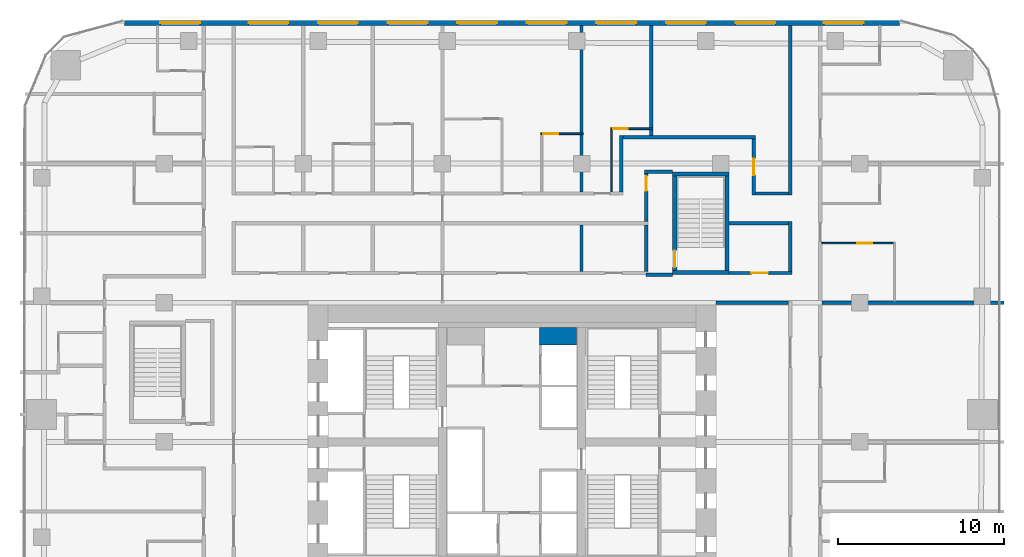
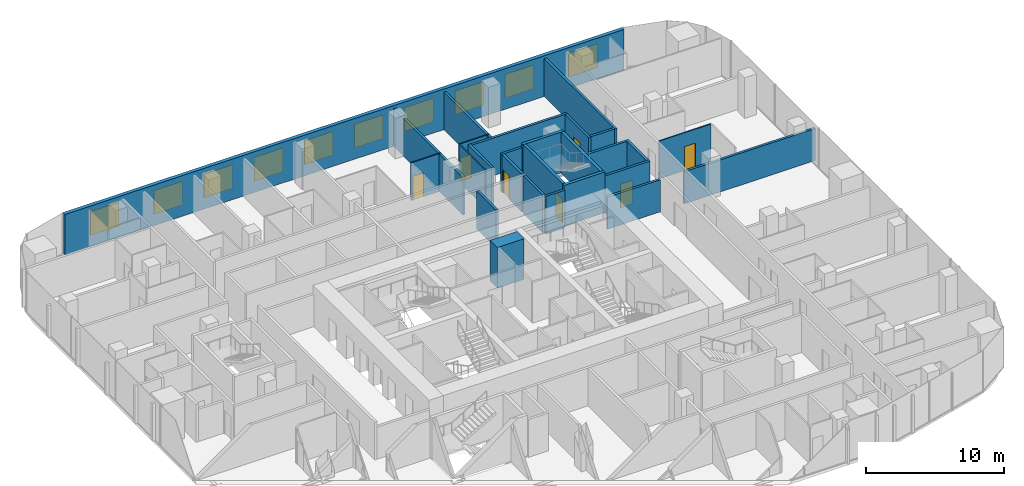
# One storey, part 23 of 26: 27 walls, 10 windows, 7 doors, 17 openings.
"""IFC4 building model written with IfcOpenShell, lengths in metres."""

from ifc_helpers import new_model, si_unit, direction, frame, frame_2d, origin, place, context, subcontext, project, spatial, rectangle, extrude, material, layer, layer_set, type_object, element, fill, save


model = new_model("IFC4")

# Units and contexts
model_context = context("Model", 3, precision=1e-05, world=origin(), true_north=direction((0.0, 1.0)))
body_context = subcontext(model_context, "Body", "Model", "MODEL_VIEW")
ifc_project = project(units=[si_unit("LENGTHUNIT", "METRE"), si_unit("AREAUNIT", "SQUARE_METRE"), si_unit("VOLUMEUNIT", "CUBIC_METRE"), si_unit("PLANEANGLEUNIT", "RADIAN"), si_unit("MASSUNIT", "GRAM", prefix="KILO")], contexts=[model_context])

# Site, building, storey
site_placement = place(None, origin())
site = spatial("IfcSite", under=ifc_project, at=site_placement, CompositionType="ELEMENT")
building_placement = place(site_placement, origin())
building = spatial("IfcBuilding", under=site, at=building_placement, Name="Marenta Gate Hotel Tower", CompositionType="ELEMENT")
storey_placement = place(building_placement, frame((0.0, 0.0, 58.10009765625)))
storey = spatial("IfcBuildingStorey", under=building, at=storey_placement, Name="L12", CompositionType="ELEMENT", Elevation=58.10009765625)

# Wall, openings, windows
ifc_material_1 = material(Name="Concrete C40 board-marked", Category="concrete")
ifc_layer_1 = layer(ifc_material_1, 0.300048828125)
ifc_layer_set_1 = layer_set([ifc_layer_1], Name="Concrete C40 board-marked")
wall_type_1 = type_object("IfcWallType", Name="Board-marked concrete wall 300 mm", PredefinedType="NOTDEFINED", material=ifc_layer_set_1)
wall_1_placement = place(storey_placement, frame((23.406005859375, 33.68994140625, 0.0), z_axis=(0.0, 0.0, 1.0), x_axis=(-1.0, 0.0, 0.0)))
wall_1 = element("IfcWall", 1, at=wall_1_placement, inside=storey, type_object=wall_type_1, Name="L12-CLD-N00", PredefinedType="NOTDEFINED", context=body_context, shape_type="SweptSolid", body=[
    extrude(rectangle(XDim=46.81201171875, YDim=0.300048828125, at=frame_2d((23.406005859375, 0.0))), origin(), (0.0, 0.0, 1.0), 3.599853515625),
])
opening_1_placement = place(wall_1_placement, frame((2.185791015625, 0.0, 0.89990234375)))
opening_1 = element("IfcOpeningElement", 2, at=opening_1_placement, cuts=wall_1, Name="Opening W1", PredefinedType="OPENING", context=body_context, shape_type="SweptSolid", body=[
    extrude(rectangle(XDim=2.39990234375, YDim=2.10009765625, at=frame_2d((1.199951171875, 1.050048828125))), frame((0.0, 0.14990234375, 0.0), z_axis=(0.0, -1.0, 0.0), x_axis=(1.0, 0.0, 0.0)), (0.0, 0.0, 1.0), 0.300048828125),
])
opening_2_placement = place(wall_1_placement, frame((7.505859375, 0.0, 0.89990234375)))
opening_2 = element("IfcOpeningElement", 3, at=opening_2_placement, cuts=wall_1, Name="Opening W1", PredefinedType="OPENING", context=body_context, shape_type="SweptSolid", body=[
    extrude(rectangle(XDim=2.39990234375, YDim=2.10009765625, at=frame_2d((1.199951171875, 1.050048828125))), frame((0.0, 0.14990234375, 0.0), z_axis=(0.0, -1.0, 0.0), x_axis=(1.0, 0.0, 0.0)), (0.0, 0.0, 1.0), 0.300048828125),
])
opening_3_placement = place(wall_1_placement, frame((11.705810546875, 0.0, 0.89990234375)))
opening_3 = element("IfcOpeningElement", 4, at=opening_3_placement, cuts=wall_1, Name="Opening W1", PredefinedType="OPENING", context=body_context, shape_type="SweptSolid", body=[
    extrude(rectangle(XDim=2.39990234375, YDim=2.10009765625, at=frame_2d((1.199951171875, 1.050048828125))), frame((0.0, 0.14990234375, 0.0), z_axis=(0.0, -1.0, 0.0), x_axis=(1.0, 0.0, 0.0)), (0.0, 0.0, 1.0), 0.300048828125),
])
opening_4_placement = place(wall_1_placement, frame((15.906005859375, 0.0, 0.89990234375)))
opening_4 = element("IfcOpeningElement", 5, at=opening_4_placement, cuts=wall_1, Name="Opening W1", PredefinedType="OPENING", context=body_context, shape_type="SweptSolid", body=[
    extrude(rectangle(XDim=2.39990234375, YDim=2.10009765625, at=frame_2d((1.199951171875, 1.050048828125))), frame((0.0, 0.14990234375, 0.0), z_axis=(0.0, -1.0, 0.0), x_axis=(1.0, 0.0, 0.0)), (0.0, 0.0, 1.0), 0.300048828125),
])
opening_5_placement = place(wall_1_placement, frame((20.10595703125, 0.0, 0.89990234375)))
opening_5 = element("IfcOpeningElement", 6, at=opening_5_placement, cuts=wall_1, Name="Opening W1", PredefinedType="OPENING", context=body_context, shape_type="SweptSolid", body=[
    extrude(rectangle(XDim=2.39990234375, YDim=2.10009765625, at=frame_2d((1.199951171875, 1.050048828125))), frame((0.0, 0.14990234375, 0.0), z_axis=(0.0, -1.0, 0.0), x_axis=(1.0, 0.0, 0.0)), (0.0, 0.0, 1.0), 0.300048828125),
])
opening_6_placement = place(wall_1_placement, frame((24.305908203125, 0.0, 0.89990234375)))
opening_6 = element("IfcOpeningElement", 7, at=opening_6_placement, cuts=wall_1, Name="Opening W1", PredefinedType="OPENING", context=body_context, shape_type="SweptSolid", body=[
    extrude(rectangle(XDim=2.39990234375, YDim=2.10009765625, at=frame_2d((1.199951171875, 1.050048828125))), frame((0.0, 0.14990234375, 0.0), z_axis=(0.0, -1.0, 0.0), x_axis=(1.0, 0.0, 0.0)), (0.0, 0.0, 1.0), 0.300048828125),
])
opening_7_placement = place(wall_1_placement, frame((28.505859375, 0.0, 0.89990234375)))
opening_7 = element("IfcOpeningElement", 8, at=opening_7_placement, cuts=wall_1, Name="Opening W1", PredefinedType="OPENING", context=body_context, shape_type="SweptSolid", body=[
    extrude(rectangle(XDim=2.39990234375, YDim=2.10009765625, at=frame_2d((1.199951171875, 1.050048828125))), frame((0.0, 0.14990234375, 0.0), z_axis=(0.0, -1.0, 0.0), x_axis=(1.0, 0.0, 0.0)), (0.0, 0.0, 1.0), 0.300048828125),
])
opening_8_placement = place(wall_1_placement, frame((32.705810546875, 0.0, 0.89990234375)))
opening_8 = element("IfcOpeningElement", 9, at=opening_8_placement, cuts=wall_1, Name="Opening W1", PredefinedType="OPENING", context=body_context, shape_type="SweptSolid", body=[
    extrude(rectangle(XDim=2.39990234375, YDim=2.10009765625, at=frame_2d((1.199951171875, 1.050048828125))), frame((0.0, 0.14990234375, 0.0), z_axis=(0.0, -1.0, 0.0), x_axis=(1.0, 0.0, 0.0)), (0.0, 0.0, 1.0), 0.300048828125),
])
opening_9_placement = place(wall_1_placement, frame((36.906005859375, 0.0, 0.89990234375)))
opening_9 = element("IfcOpeningElement", 10, at=opening_9_placement, cuts=wall_1, Name="Opening W1", PredefinedType="OPENING", context=body_context, shape_type="SweptSolid", body=[
    extrude(rectangle(XDim=2.39990234375, YDim=2.10009765625, at=frame_2d((1.199951171875, 1.050048828125))), frame((0.0, 0.14990234375, 0.0), z_axis=(0.0, -1.0, 0.0), x_axis=(1.0, 0.0, 0.0)), (0.0, 0.0, 1.0), 0.300048828125),
])
opening_10_placement = place(wall_1_placement, frame((42.225830078125, 0.0, 0.89990234375)))
opening_10 = element("IfcOpeningElement", 11, at=opening_10_placement, cuts=wall_1, Name="Opening W1", PredefinedType="OPENING", context=body_context, shape_type="SweptSolid", body=[
    extrude(rectangle(XDim=2.39990234375, YDim=2.10009765625, at=frame_2d((1.199951171875, 1.050048828125))), frame((0.0, 0.14990234375, 0.0), z_axis=(0.0, -1.0, 0.0), x_axis=(1.0, 0.0, 0.0)), (0.0, 0.0, 1.0), 0.300048828125),
])
ifc_material_2 = material(Name="Tinted insulated glass in bronze anodised frame", Category="glass")
window_type = type_object("IfcWindowType", Name="Window W1 2400x2100 bronze frame", PartitioningType="SINGLE_PANEL", PredefinedType="WINDOW", material=ifc_material_2)
window_1_placement = place(opening_1_placement, origin())
window_1 = element("IfcWindow", 12, at=window_1_placement, inside=storey, type_object=window_type, Name="Window W1", OverallHeight=2.10009765625, OverallWidth=2.39990234375, PartitioningType="SINGLE_PANEL", PredefinedType="WINDOW", context=body_context, shape_type="SweptSolid", body=[
    extrude(rectangle(XDim=2.39990234375, YDim=2.10009765625, at=frame_2d((1.199951171875, 1.050048828125))), frame((0.0, 0.030029296875, 0.0), z_axis=(0.0, -1.0, 0.0), x_axis=(1.0, 0.0, 0.0)), (0.0, 0.0, 1.0), 0.06005859375),
])
fill(opening_1, window_1)
window_2_placement = place(opening_2_placement, origin())
window_2 = element("IfcWindow", 13, at=window_2_placement, inside=storey, type_object=window_type, Name="Window W1", OverallHeight=2.10009765625, OverallWidth=2.39990234375, PartitioningType="SINGLE_PANEL", PredefinedType="WINDOW", context=body_context, shape_type="SweptSolid", body=[
    extrude(rectangle(XDim=2.39990234375, YDim=2.10009765625, at=frame_2d((1.199951171875, 1.050048828125))), frame((0.0, 0.030029296875, 0.0), z_axis=(0.0, -1.0, 0.0), x_axis=(1.0, 0.0, 0.0)), (0.0, 0.0, 1.0), 0.06005859375),
])
fill(opening_2, window_2)
window_3_placement = place(opening_3_placement, origin())
window_3 = element("IfcWindow", 14, at=window_3_placement, inside=storey, type_object=window_type, Name="Window W1", OverallHeight=2.10009765625, OverallWidth=2.39990234375, PartitioningType="SINGLE_PANEL", PredefinedType="WINDOW", context=body_context, shape_type="SweptSolid", body=[
    extrude(rectangle(XDim=2.39990234375, YDim=2.10009765625, at=frame_2d((1.199951171875, 1.050048828125))), frame((0.0, 0.030029296875, 0.0), z_axis=(0.0, -1.0, 0.0), x_axis=(1.0, 0.0, 0.0)), (0.0, 0.0, 1.0), 0.06005859375),
])
fill(opening_3, window_3)
window_4_placement = place(opening_4_placement, origin())
window_4 = element("IfcWindow", 15, at=window_4_placement, inside=storey, type_object=window_type, Name="Window W1", OverallHeight=2.10009765625, OverallWidth=2.39990234375, PartitioningType="SINGLE_PANEL", PredefinedType="WINDOW", context=body_context, shape_type="SweptSolid", body=[
    extrude(rectangle(XDim=2.39990234375, YDim=2.10009765625, at=frame_2d((1.199951171875, 1.050048828125))), frame((0.0, 0.030029296875, 0.0), z_axis=(0.0, -1.0, 0.0), x_axis=(1.0, 0.0, 0.0)), (0.0, 0.0, 1.0), 0.06005859375),
])
fill(opening_4, window_4)
window_5_placement = place(opening_5_placement, origin())
window_5 = element("IfcWindow", 16, at=window_5_placement, inside=storey, type_object=window_type, Name="Window W1", OverallHeight=2.10009765625, OverallWidth=2.39990234375, PartitioningType="SINGLE_PANEL", PredefinedType="WINDOW", context=body_context, shape_type="SweptSolid", body=[
    extrude(rectangle(XDim=2.39990234375, YDim=2.10009765625, at=frame_2d((1.199951171875, 1.050048828125))), frame((0.0, 0.030029296875, 0.0), z_axis=(0.0, -1.0, 0.0), x_axis=(1.0, 0.0, 0.0)), (0.0, 0.0, 1.0), 0.06005859375),
])
fill(opening_5, window_5)
window_6_placement = place(opening_6_placement, origin())
window_6 = element("IfcWindow", 17, at=window_6_placement, inside=storey, type_object=window_type, Name="Window W1", OverallHeight=2.10009765625, OverallWidth=2.39990234375, PartitioningType="SINGLE_PANEL", PredefinedType="WINDOW", context=body_context, shape_type="SweptSolid", body=[
    extrude(rectangle(XDim=2.39990234375, YDim=2.10009765625, at=frame_2d((1.199951171875, 1.050048828125))), frame((0.0, 0.030029296875, 0.0), z_axis=(0.0, -1.0, 0.0), x_axis=(1.0, 0.0, 0.0)), (0.0, 0.0, 1.0), 0.06005859375),
])
fill(opening_6, window_6)
window_7_placement = place(opening_7_placement, origin())
window_7 = element("IfcWindow", 18, at=window_7_placement, inside=storey, type_object=window_type, Name="Window W1", OverallHeight=2.10009765625, OverallWidth=2.39990234375, PartitioningType="SINGLE_PANEL", PredefinedType="WINDOW", context=body_context, shape_type="SweptSolid", body=[
    extrude(rectangle(XDim=2.39990234375, YDim=2.10009765625, at=frame_2d((1.199951171875, 1.050048828125))), frame((0.0, 0.030029296875, 0.0), z_axis=(0.0, -1.0, 0.0), x_axis=(1.0, 0.0, 0.0)), (0.0, 0.0, 1.0), 0.06005859375),
])
fill(opening_7, window_7)
window_8_placement = place(opening_8_placement, origin())
window_8 = element("IfcWindow", 19, at=window_8_placement, inside=storey, type_object=window_type, Name="Window W1", OverallHeight=2.10009765625, OverallWidth=2.39990234375, PartitioningType="SINGLE_PANEL", PredefinedType="WINDOW", context=body_context, shape_type="SweptSolid", body=[
    extrude(rectangle(XDim=2.39990234375, YDim=2.10009765625, at=frame_2d((1.199951171875, 1.050048828125))), frame((0.0, 0.030029296875, 0.0), z_axis=(0.0, -1.0, 0.0), x_axis=(1.0, 0.0, 0.0)), (0.0, 0.0, 1.0), 0.06005859375),
])
fill(opening_8, window_8)
window_9_placement = place(opening_9_placement, origin())
window_9 = element("IfcWindow", 20, at=window_9_placement, inside=storey, type_object=window_type, Name="Window W1", OverallHeight=2.10009765625, OverallWidth=2.39990234375, PartitioningType="SINGLE_PANEL", PredefinedType="WINDOW", context=body_context, shape_type="SweptSolid", body=[
    extrude(rectangle(XDim=2.39990234375, YDim=2.10009765625, at=frame_2d((1.199951171875, 1.050048828125))), frame((0.0, 0.030029296875, 0.0), z_axis=(0.0, -1.0, 0.0), x_axis=(1.0, 0.0, 0.0)), (0.0, 0.0, 1.0), 0.06005859375),
])
fill(opening_9, window_9)
window_10_placement = place(opening_10_placement, origin())
window_10 = element("IfcWindow", 21, at=window_10_placement, inside=storey, type_object=window_type, Name="Window W1", OverallHeight=2.10009765625, OverallWidth=2.39990234375, PartitioningType="SINGLE_PANEL", PredefinedType="WINDOW", context=body_context, shape_type="SweptSolid", body=[
    extrude(rectangle(XDim=2.39990234375, YDim=2.10009765625, at=frame_2d((1.199951171875, 1.050048828125))), frame((0.0, 0.030029296875, 0.0), z_axis=(0.0, -1.0, 0.0), x_axis=(1.0, 0.0, 0.0)), (0.0, 0.0, 1.0), 0.06005859375),
])
fill(opening_10, window_10)

# Walls
ifc_material_3 = material(Name="Concrete blockwork", Category="masonry")
ifc_layer_2 = layer(ifc_material_3, 0.199951171875)
ifc_layer_set_2 = layer_set([ifc_layer_2], Name="Concrete blockwork")
wall_type_2 = type_object("IfcWallType", Name="Core boundary wall 200 REI 180", PredefinedType="PARTITIONING", material=ifc_layer_set_2)
wall_2_placement = place(storey_placement, frame((12.300048828125, 16.800048828125, 0.0), z_axis=(0.0, 0.0, 1.0), x_axis=(1.0, 0.0, 0.0)))
element("IfcWall", 22, at=wall_2_placement, inside=storey, type_object=wall_type_2, Name="L12-CP-EW-EN", PredefinedType="PARTITIONING", context=body_context, shape_type="SweptSolid", body=[
    extrude(rectangle(XDim=4.39990234375, YDim=0.199951171875, at=frame_2d((2.199951171875, 0.0))), origin(), (0.0, 0.0, 1.0), 2.83984375),
])
ifc_material_4 = material(Name="Concrete C40", Category="concrete")
ifc_layer_3 = layer(ifc_material_4, 1.050048828125)
ifc_layer_set_3 = layer_set([ifc_layer_3], Name="Concrete C40")
wall_type_3 = type_object("IfcWallType", Name="Core shaft wall 1050 REI 180", PredefinedType="SHEAR", material=ifc_layer_set_3)
wall_3_placement = place(storey_placement, frame((1.64990234375, 14.77490234375, 0.0), z_axis=(0.0, 0.0, 1.0), x_axis=(1.0, 0.0, 0.0)))
element("IfcWall", 23, at=wall_3_placement, inside=storey, type_object=wall_type_3, Name="L12-SHF-CE-N-top", PredefinedType="SHEAR", context=body_context, shape_type="SweptSolid", body=[
    extrude(rectangle(XDim=2.25, YDim=1.050048828125, at=frame_2d((1.125, 0.0))), origin(), (0.0, 0.0, 1.0), 3.599853515625),
])
ifc_material_5 = material(Name="Concrete C40", Category="concrete")
ifc_layer_4 = layer(ifc_material_5, 0.25)
ifc_layer_set_4 = layer_set([ifc_layer_4], Name="Concrete C40")
wall_type_4 = type_object("IfcWallType", Name="Remote stair enclosure wall 250 REI 180", PredefinedType="SHEAR", material=ifc_layer_set_4)
for number, where, z_axis, x_axis, name in (
    (24, (9.699951171875, 18.625, 0.099853515625), (0.0, 0.0, 1.0), (1.0, 0.0, 0.0), "L12-RS-Z1-4-W1"),
    (25, (9.699951171875, 24.574951171875, 0.099853515625), (0.0, 0.0, 1.0), (1.0, 0.0, 0.0), "L12-RS-Z1-4-W2"),
):
    element("IfcWall", number, at=place(storey_placement, frame(where, z_axis=z_axis, x_axis=x_axis)), inside=storey, type_object=wall_type_4, Name=name, PredefinedType="SHEAR", context=body_context, shape_type="SweptSolid", body=[
        extrude(rectangle(XDim=3.400146484375, YDim=0.25, at=frame_2d((1.7001953125, 0.0))), origin(), (0.0, 0.0, 1.0), 3.60009765625),
    ])

# Wall, opening, door
wall_4_placement = place(storey_placement, frame((9.824951171875, 18.75, 0.099853515625), z_axis=(0.0, 0.0, 1.0), x_axis=(0.0, 1.0, 0.0)))
wall_4 = element("IfcWall", 26, at=wall_4_placement, inside=storey, type_object=wall_type_4, Name="L12-RS-Z1-4-W3", PredefinedType="SHEAR", context=body_context, shape_type="SweptSolid", body=[
    extrude(rectangle(XDim=5.699951171875, YDim=0.25, at=frame_2d((2.85009765625, 0.0))), origin(), (0.0, 0.0, 1.0), 3.60009765625),
])
opening_11_placement = place(wall_4_placement, frame((0.199951171875, 0.0, 0.0)))
opening_11 = element("IfcOpeningElement", 27, at=opening_11_placement, cuts=wall_4, Name="Opening VD", PredefinedType="OPENING", context=body_context, shape_type="SweptSolid", body=[
    extrude(rectangle(XDim=1.0, YDim=2.10009765625, at=frame_2d((0.5, 1.050048828125))), frame((0.0, 0.125, 0.0), z_axis=(0.0, -1.0, 0.0), x_axis=(1.0, 0.0, 0.0)), (0.0, 0.0, 1.0), 0.25),
])
ifc_material_6 = material(Name="Steel", Category="steel")
door_type_1 = type_object("IfcDoorType", Name="Stair vestibule door 1000x2100 FD60", OperationType="SINGLE_SWING_LEFT", PredefinedType="DOOR", material=ifc_material_6)
door_1_placement = place(opening_11_placement, origin())
door_1 = element("IfcDoor", 28, at=door_1_placement, inside=storey, type_object=door_type_1, Name="VD", OperationType="SINGLE_SWING_LEFT", OverallHeight=2.10009765625, OverallWidth=1.0, PredefinedType="DOOR", context=body_context, shape_type="SweptSolid", body=[
    extrude(rectangle(XDim=1.0, YDim=2.10009765625, at=frame_2d((0.5, 1.050048828125))), frame((0.0, 0.02490234375, 0.0), z_axis=(0.0, -1.0, 0.0), x_axis=(1.0, 0.0, 0.0)), (0.0, 0.0, 1.0), 0.050048828125),
])
fill(opening_11, door_1)

# Walls
wall_5_placement = place(storey_placement, frame((12.97509765625, 18.75, 0.099853515625), z_axis=(0.0, 0.0, 1.0), x_axis=(0.0, 1.0, 0.0)))
element("IfcWall", 29, at=wall_5_placement, inside=storey, type_object=wall_type_4, Name="L12-RS-Z1-4-W4", PredefinedType="SHEAR", context=body_context, shape_type="SweptSolid", body=[
    extrude(rectangle(XDim=5.699951171875, YDim=0.25, at=frame_2d((2.85009765625, 0.0))), origin(), (0.0, 0.0, 1.0), 3.60009765625),
])
ifc_material_7 = material(Name="Gypsum board on steel stud", Category="steel")
ifc_layer_5 = layer(ifc_material_7, 0.199951171875)
ifc_layer_set_5 = layer_set([ifc_layer_5], Name="Gypsum board on steel stud")
wall_type_5 = type_object("IfcWallType", Name="Room corridor wall 200 EI 60", PredefinedType="PARTITIONING", material=ifc_layer_set_5)
wall_6_placement = place(storey_placement, frame((16.800048828125, 18.699951171875, 0.0), z_axis=(0.0, 0.0, 1.0), x_axis=(0.0, 1.0, 0.0)))
element("IfcWall", 30, at=wall_6_placement, inside=storey, type_object=wall_type_5, Name="L12-PTN-W012", PredefinedType="PARTITIONING", context=body_context, shape_type="SweptSolid", body=[
    extrude(rectangle(XDim=3.0, YDim=0.199951171875, at=frame_2d((1.5, 0.0))), origin(), (0.0, 0.0, 1.0), 3.33984375),
])
wall_7_placement = place(storey_placement, frame((16.800048828125, 23.300048828125, 0.0), z_axis=(0.0, 0.0, 1.0), x_axis=(0.0, 1.0, 0.0)))
element("IfcWall", 31, at=wall_7_placement, inside=storey, type_object=wall_type_5, Name="L12-PTN-W013", PredefinedType="PARTITIONING", context=body_context, shape_type="SweptSolid", body=[
    extrude(rectangle(XDim=10.239990234375, YDim=0.199951171875, at=frame_2d((5.1201171875, 0.0))), origin(), (0.0, 0.0, 1.0), 3.33984375),
])

# Wall, opening, door
wall_8_placement = place(storey_placement, frame((14.60009765625, 23.300048828125, 0.0), z_axis=(0.0, 0.0, 1.0), x_axis=(0.0, 1.0, 0.0)))
wall_8 = element("IfcWall", 32, at=wall_8_placement, inside=storey, type_object=wall_type_5, Name="L12-PTN-W025", PredefinedType="PARTITIONING", context=body_context, shape_type="SweptSolid", body=[
    extrude(rectangle(XDim=3.39990234375, YDim=0.199951171875, at=frame_2d((1.699951171875, 0.0))), origin(), (0.0, 0.0, 1.0), 3.33984375),
])
opening_12_placement = place(wall_8_placement, frame((1.199951171875, 0.0, 0.0)))
opening_12 = element("IfcOpeningElement", 33, at=opening_12_placement, cuts=wall_8, Name="Opening G04-71", PredefinedType="OPENING", context=body_context, shape_type="SweptSolid", body=[
    extrude(rectangle(XDim=1.0, YDim=2.10009765625, at=frame_2d((0.5, 1.050048828125))), frame((0.0, 0.10009765625, 0.0), z_axis=(0.0, -1.0, 0.0), x_axis=(1.0, 0.0, 0.0)), (0.0, 0.0, 1.0), 0.199951171875),
])
ifc_material_8 = material(Name="Timber door leaf", Category="wood")
door_type_2 = type_object("IfcDoorType", Name="Room amenity door 1000x2100 EI 30", OperationType="NOTDEFINED", PredefinedType="DOOR", material=ifc_material_8)
door_2_placement = place(opening_12_placement, origin())
door_2 = element("IfcDoor", 34, at=door_2_placement, inside=storey, type_object=door_type_2, Name="L12-PD-D071", OperationType="SINGLE_SWING_LEFT", OverallHeight=2.10009765625, OverallWidth=1.0, PredefinedType="DOOR", context=body_context, shape_type="SweptSolid", body=[
    extrude(rectangle(XDim=1.0, YDim=2.10009765625, at=frame_2d((0.5, 1.050048828125))), frame((0.0, 0.02490234375, 0.0), z_axis=(0.0, -1.0, 0.0), x_axis=(1.0, 0.0, 0.0)), (0.0, 0.0, 1.0), 0.050048828125),
])
fill(opening_12, door_2)

# Wall
wall_9_placement = place(storey_placement, frame((6.60009765625, 23.5, 0.0), z_axis=(0.0, 0.0, 1.0), x_axis=(0.0, 1.0, 0.0)))
element("IfcWall", 35, at=wall_9_placement, inside=storey, type_object=wall_type_5, Name="L12-PTN-W044", PredefinedType="PARTITIONING", context=body_context, shape_type="SweptSolid", body=[
    extrude(rectangle(XDim=3.39990234375, YDim=0.199951171875, at=frame_2d((1.699951171875, 0.0))), origin(), (0.0, 0.0, 1.0), 3.33984375),
])

# Wall, opening, door
wall_10_placement = place(storey_placement, frame((13.10009765625, 18.60009765625, 0.0), z_axis=(0.0, 0.0, 1.0), x_axis=(1.0, 0.0, 0.0)))
wall_10 = element("IfcWall", 36, at=wall_10_placement, inside=storey, type_object=wall_type_5, Name="L12-PTN-W121", PredefinedType="PARTITIONING", context=body_context, shape_type="SweptSolid", body=[
    extrude(rectangle(XDim=3.7998046875, YDim=0.199951171875, at=frame_2d((1.89990234375, 0.0))), origin(), (0.0, 0.0, 1.0), 3.33984375),
])
opening_13_placement = place(wall_10_placement, frame((1.35009765625, 0.0, 0.0)))
opening_13 = element("IfcOpeningElement", 37, at=opening_13_placement, cuts=wall_10, Name="Opening G04-04", PredefinedType="OPENING", context=body_context, shape_type="SweptSolid", body=[
    extrude(rectangle(XDim=1.0, YDim=2.10009765625, at=frame_2d((0.5, 1.050048828125))), frame((0.0, 0.10009765625, 0.0), z_axis=(0.0, -1.0, 0.0), x_axis=(1.0, 0.0, 0.0)), (0.0, 0.0, 1.0), 0.199951171875),
])
door_3_placement = place(opening_13_placement, origin())
door_3 = element("IfcDoor", 38, at=door_3_placement, inside=storey, type_object=door_type_2, Name="L12-PD-D004", OperationType="SINGLE_SWING_LEFT", OverallHeight=2.10009765625, OverallWidth=1.0, PredefinedType="DOOR", context=body_context, shape_type="SweptSolid", body=[
    extrude(rectangle(XDim=1.0, YDim=2.10009765625, at=frame_2d((0.5, 1.050048828125))), frame((0.0, 0.02490234375, 0.0), z_axis=(0.0, -1.0, 0.0), x_axis=(1.0, 0.0, 0.0)), (0.0, 0.0, 1.0), 0.050048828125),
])
fill(opening_13, door_3)

# Walls
wall_11_placement = place(storey_placement, frame((13.10009765625, 21.60009765625, 0.0), z_axis=(0.0, 0.0, 1.0), x_axis=(1.0, 0.0, 0.0)))
element("IfcWall", 39, at=wall_11_placement, inside=storey, type_object=wall_type_5, Name="L12-PTN-W128", PredefinedType="PARTITIONING", context=body_context, shape_type="SweptSolid", body=[
    extrude(rectangle(XDim=3.599853515625, YDim=0.199951171875, at=frame_2d((1.7998046875, 0.0))), origin(), (0.0, 0.0, 1.0), 3.33984375),
])
wall_12_placement = place(storey_placement, frame((14.699951171875, 23.39990234375, 0.0), z_axis=(0.0, 0.0, 1.0), x_axis=(1.0, 0.0, 0.0)))
element("IfcWall", 40, at=wall_12_placement, inside=storey, type_object=wall_type_5, Name="L12-PTN-W136", PredefinedType="PARTITIONING", context=body_context, shape_type="SweptSolid", body=[
    extrude(rectangle(XDim=2.0, YDim=0.199951171875, at=frame_2d((1.0, 0.0))), origin(), (0.0, 0.0, 1.0), 3.33984375),
])
wall_13_placement = place(storey_placement, frame((6.699951171875, 26.800048828125, 0.0), z_axis=(0.0, 0.0, 1.0), x_axis=(1.0, 0.0, 0.0)))
element("IfcWall", 41, at=wall_13_placement, inside=storey, type_object=wall_type_5, Name="L12-PTN-W143", PredefinedType="PARTITIONING", context=body_context, shape_type="SweptSolid", body=[
    extrude(rectangle(XDim=8.0, YDim=0.199951171875, at=frame_2d((4.0, 0.0))), origin(), (0.0, 0.0, 1.0), 3.33984375),
])

# Wall, opening, door
ifc_material_9 = material(Name="Concrete blockwork", Category="masonry")
ifc_layer_6 = layer(ifc_material_9, 0.199951171875)
ifc_layer_set_6 = layer_set([ifc_layer_6], Name="Concrete blockwork")
wall_type_6 = type_object("IfcWallType", Name="Room corridor wall 200 REI 180", PredefinedType="PARTITIONING", material=ifc_layer_set_6)
wall_14_placement = place(storey_placement, frame((8.10009765625, 21.699951171875, 0.0), z_axis=(0.0, 0.0, 1.0), x_axis=(0.0, 1.0, 0.0)))
wall_14 = element("IfcWall", 42, at=wall_14_placement, inside=storey, type_object=wall_type_6, Name="L12-PTN-W042", PredefinedType="PARTITIONING", context=body_context, shape_type="SweptSolid", body=[
    extrude(rectangle(XDim=2.900146484375, YDim=0.199951171875, at=frame_2d((1.4501953125, 0.0))), origin(), (0.0, 0.0, 1.0), 3.33984375),
])
opening_14_placement = place(wall_14_placement, frame((1.85009765625, 0.0, 0.0)))
opening_14 = element("IfcOpeningElement", 43, at=opening_14_placement, cuts=wall_14, Name="Opening G04-70", PredefinedType="OPENING", context=body_context, shape_type="SweptSolid", body=[
    extrude(rectangle(XDim=0.89990234375, YDim=2.10009765625, at=frame_2d((0.449951171875, 1.050048828125))), frame((0.0, 0.10009765625, 0.0), z_axis=(0.0, -1.0, 0.0), x_axis=(1.0, 0.0, 0.0)), (0.0, 0.0, 1.0), 0.199951171875),
])
ifc_material_10 = material(Name="Hollow steel door set", Category="steel")
door_type_3 = type_object("IfcDoorType", Name="Stair vestibule door 900x2100 EI 60", OperationType="NOTDEFINED", PredefinedType="DOOR", material=ifc_material_10)
door_4_placement = place(opening_14_placement, origin())
door_4 = element("IfcDoor", 44, at=door_4_placement, inside=storey, type_object=door_type_3, Name="L12-PD-D070", OperationType="SINGLE_SWING_LEFT", OverallHeight=2.10009765625, OverallWidth=0.89990234375, PredefinedType="DOOR", context=body_context, shape_type="SweptSolid", body=[
    extrude(rectangle(XDim=0.89990234375, YDim=2.10009765625, at=frame_2d((0.449951171875, 1.050048828125))), frame((0.0, 0.02490234375, 0.0), z_axis=(0.0, -1.0, 0.0), x_axis=(1.0, 0.0, 0.0)), (0.0, 0.0, 1.0), 0.050048828125),
])
fill(opening_14, door_4)

# Walls
wall_15_placement = place(storey_placement, frame((8.10009765625, 18.5, 0.0), z_axis=(0.0, 0.0, 1.0), x_axis=(1.0, 0.0, 0.0)))
element("IfcWall", 45, at=wall_15_placement, inside=storey, type_object=wall_type_6, Name="L12-PTN-W117", PredefinedType="PARTITIONING", context=body_context, shape_type="SweptSolid", body=[
    extrude(rectangle(XDim=1.599853515625, YDim=0.199951171875, at=frame_2d((0.7998046875, 0.0))), origin(), (0.0, 0.0, 1.0), 3.33984375),
])
wall_16_placement = place(storey_placement, frame((8.0, 24.699951171875, 0.0), z_axis=(0.0, 0.0, 1.0), x_axis=(1.0, 0.0, 0.0)))
element("IfcWall", 46, at=wall_16_placement, inside=storey, type_object=wall_type_6, Name="L12-PTN-W138", PredefinedType="PARTITIONING", context=body_context, shape_type="SweptSolid", body=[
    extrude(rectangle(XDim=1.699951171875, YDim=0.199951171875, at=frame_2d((0.85009765625, 0.0))), origin(), (0.0, 0.0, 1.0), 3.33984375),
])
ifc_material_11 = material(Name="Gypsum board on steel stud", Category="steel")
ifc_layer_7 = layer(ifc_material_11, 0.10009765625)
ifc_layer_set_7 = layer_set([ifc_layer_7], Name="Gypsum board on steel stud")
wall_type_7 = type_object("IfcWallType", Name="Room partition 100", PredefinedType="PARTITIONING", material=ifc_layer_set_7)
wall_17_placement = place(storey_placement, frame((6.0, 23.5, 0.0), z_axis=(0.0, 0.0, 1.0), x_axis=(0.0, 1.0, 0.0)))
element("IfcWall", 47, at=wall_17_placement, inside=storey, type_object=wall_type_7, Name="L12-PTN-W049", PredefinedType="PARTITIONING", context=body_context, shape_type="SweptSolid", body=[
    extrude(rectangle(XDim=3.75, YDim=0.10009765625, at=frame_2d((1.875, 0.0))), origin(), (0.0, 0.0, 1.0), 3.33984375),
])

# Wall, opening, door
wall_18_placement = place(storey_placement, frame((18.699951171875, 20.39990234375, 0.0), z_axis=(0.0, 0.0, 1.0), x_axis=(1.0, 0.0, 0.0)))
wall_18 = element("IfcWall", 48, at=wall_18_placement, inside=storey, type_object=wall_type_7, Name="L12-PTN-W122", PredefinedType="PARTITIONING", context=body_context, shape_type="SweptSolid", body=[
    extrude(rectangle(XDim=4.35009765625, YDim=0.10009765625, at=frame_2d((2.175048828125, 0.0))), origin(), (0.0, 0.0, 1.0), 3.33984375),
])
opening_15_placement = place(wall_18_placement, frame((2.14990234375, 0.0, 0.0)))
opening_15 = element("IfcOpeningElement", 49, at=opening_15_placement, cuts=wall_18, Name="Opening G04-24", PredefinedType="OPENING", context=body_context, shape_type="SweptSolid", body=[
    extrude(rectangle(XDim=0.89990234375, YDim=2.10009765625, at=frame_2d((0.449951171875, 1.050048828125))), frame((0.0, 0.050048828125, 0.0), z_axis=(0.0, -1.0, 0.0), x_axis=(1.0, 0.0, 0.0)), (0.0, 0.0, 1.0), 0.10009765625),
])
ifc_material_12 = material(Name="Timber door leaf", Category="wood")
door_type_4 = type_object("IfcDoorType", Name="Guest bathroom door 900x2100", OperationType="NOTDEFINED", PredefinedType="DOOR", material=ifc_material_12)
door_5_placement = place(opening_15_placement, origin())
door_5 = element("IfcDoor", 50, at=door_5_placement, inside=storey, type_object=door_type_4, Name="L12-PD-D024", OperationType="SINGLE_SWING_LEFT", OverallHeight=2.10009765625, OverallWidth=0.89990234375, PredefinedType="DOOR", context=body_context, shape_type="SweptSolid", body=[
    extrude(rectangle(XDim=0.89990234375, YDim=2.10009765625, at=frame_2d((0.449951171875, 1.050048828125))), frame((0.0, 0.02490234375, 0.0), z_axis=(0.0, -1.0, 0.0), x_axis=(1.0, 0.0, 0.0)), (0.0, 0.0, 1.0), 0.050048828125),
])
fill(opening_15, door_5)

wall_19_placement = place(storey_placement, frame((1.75, 27.0, 0.0), z_axis=(0.0, 0.0, 1.0), x_axis=(1.0, 0.0, 0.0)))
wall_19 = element("IfcWall", 51, at=wall_19_placement, inside=storey, type_object=wall_type_7, Name="L12-PTN-W146", PredefinedType="PARTITIONING", context=body_context, shape_type="SweptSolid", body=[
    extrude(rectangle(XDim=2.550048828125, YDim=0.10009765625, at=frame_2d((1.27490234375, 0.0))), origin(), (0.0, 0.0, 1.0), 3.33984375),
])
opening_16_placement = place(wall_19_placement, frame((0.14990234375, 0.0, 0.0)))
opening_16 = element("IfcOpeningElement", 52, at=opening_16_placement, cuts=wall_19, Name="Opening G04-37", PredefinedType="OPENING", context=body_context, shape_type="SweptSolid", body=[
    extrude(rectangle(XDim=0.89990234375, YDim=2.10009765625, at=frame_2d((0.449951171875, 1.050048828125))), frame((0.0, 0.050048828125, 0.0), z_axis=(0.0, -1.0, 0.0), x_axis=(1.0, 0.0, 0.0)), (0.0, 0.0, 1.0), 0.10009765625),
])
ifc_material_13 = material(Name="Timber door leaf", Category="wood")
door_type_5 = type_object("IfcDoorType", Name="Room inner door 900x2100", OperationType="NOTDEFINED", PredefinedType="DOOR", material=ifc_material_13)
door_6_placement = place(opening_16_placement, origin())
door_6 = element("IfcDoor", 53, at=door_6_placement, inside=storey, type_object=door_type_5, Name="L12-PD-D037", OperationType="SINGLE_SWING_RIGHT", OverallHeight=2.10009765625, OverallWidth=0.89990234375, PredefinedType="DOOR", context=body_context, shape_type="SweptSolid", body=[
    extrude(rectangle(XDim=0.89990234375, YDim=2.10009765625, at=frame_2d((0.449951171875, 1.050048828125))), frame((0.0, 0.02490234375, 0.0), z_axis=(0.0, -1.0, 0.0), x_axis=(1.0, 0.0, 0.0)), (0.0, 0.0, 1.0), 0.050048828125),
])
fill(opening_16, door_6)

wall_20_placement = place(storey_placement, frame((5.949951171875, 27.300048828125, 0.0), z_axis=(0.0, 0.0, 1.0), x_axis=(1.0, 0.0, 0.0)))
wall_20 = element("IfcWall", 54, at=wall_20_placement, inside=storey, type_object=wall_type_7, Name="L12-PTN-W147", PredefinedType="PARTITIONING", context=body_context, shape_type="SweptSolid", body=[
    extrude(rectangle(XDim=2.550048828125, YDim=0.10009765625, at=frame_2d((1.27490234375, 0.0))), origin(), (0.0, 0.0, 1.0), 3.33984375),
])
opening_17_placement = place(wall_20_placement, frame((0.14990234375, 0.0, 0.0)))
opening_17 = element("IfcOpeningElement", 55, at=opening_17_placement, cuts=wall_20, Name="Opening G04-39", PredefinedType="OPENING", context=body_context, shape_type="SweptSolid", body=[
    extrude(rectangle(XDim=0.89990234375, YDim=2.10009765625, at=frame_2d((0.449951171875, 1.050048828125))), frame((0.0, 0.050048828125, 0.0), z_axis=(0.0, -1.0, 0.0), x_axis=(1.0, 0.0, 0.0)), (0.0, 0.0, 1.0), 0.10009765625),
])
door_7_placement = place(opening_17_placement, origin())
door_7 = element("IfcDoor", 56, at=door_7_placement, inside=storey, type_object=door_type_4, Name="L12-PD-D039", OperationType="SINGLE_SWING_RIGHT", OverallHeight=2.10009765625, OverallWidth=0.89990234375, PredefinedType="DOOR", context=body_context, shape_type="SweptSolid", body=[
    extrude(rectangle(XDim=0.89990234375, YDim=2.10009765625, at=frame_2d((0.449951171875, 1.050048828125))), frame((0.0, 0.02490234375, 0.0), z_axis=(0.0, -1.0, 0.0), x_axis=(1.0, 0.0, 0.0)), (0.0, 0.0, 1.0), 0.050048828125),
])
fill(opening_17, door_7)

# Walls
ifc_material_14 = material(Name="Gypsum board on steel stud", Category="steel")
ifc_layer_8 = layer(ifc_material_14, 0.199951171875)
ifc_layer_set_8 = layer_set([ifc_layer_8], Name="Gypsum board on steel stud")
wall_type_8 = type_object("IfcWallType", Name="Room party wall 200 EI 60", PredefinedType="PARTITIONING", material=ifc_layer_set_8)
wall_21_placement = place(storey_placement, frame((8.39990234375, 26.89990234375, 0.0), z_axis=(0.0, 0.0, 1.0), x_axis=(0.0, 1.0, 0.0)))
element("IfcWall", 57, at=wall_21_placement, inside=storey, type_object=wall_type_8, Name="L12-PTN-W038", PredefinedType="PARTITIONING", context=body_context, shape_type="SweptSolid", body=[
    extrude(rectangle(XDim=6.64013671875, YDim=0.199951171875, at=frame_2d((3.320068359375, 0.0))), origin(), (0.0, 0.0, 1.0), 3.33984375),
])
wall_22_placement = place(storey_placement, frame((4.199951171875, 18.699951171875, 0.0), z_axis=(0.0, 0.0, 1.0), x_axis=(0.0, 1.0, 0.0)))
element("IfcWall", 58, at=wall_22_placement, inside=storey, type_object=wall_type_8, Name="L12-PTN-W054", PredefinedType="PARTITIONING", context=body_context, shape_type="SweptSolid", body=[
    extrude(rectangle(XDim=2.800048828125, YDim=0.199951171875, at=frame_2d((1.39990234375, 0.0))), origin(), (0.0, 0.0, 1.0), 3.33984375),
])
wall_23_placement = place(storey_placement, frame((4.199951171875, 23.5, 0.0), z_axis=(0.0, 0.0, 1.0), x_axis=(0.0, 1.0, 0.0)))
element("IfcWall", 59, at=wall_23_placement, inside=storey, type_object=wall_type_8, Name="L12-PTN-W055", PredefinedType="PARTITIONING", context=body_context, shape_type="SweptSolid", body=[
    extrude(rectangle(XDim=10.0400390625, YDim=0.199951171875, at=frame_2d((5.02001953125, 0.0))), origin(), (0.0, 0.0, 1.0), 3.33984375),
])
wall_24_placement = place(storey_placement, frame((18.699951171875, 16.800048828125, 0.0), z_axis=(0.0, 0.0, 1.0), x_axis=(1.0, 0.0, 0.0)))
element("IfcWall", 60, at=wall_24_placement, inside=storey, type_object=wall_type_8, Name="L12-PTN-W114", PredefinedType="PARTITIONING", context=body_context, shape_type="SweptSolid", body=[
    extrude(rectangle(XDim=11.0, YDim=0.199951171875, at=frame_2d((5.5, 0.0))), origin(), (0.0, 0.0, 1.0), 2.83984375),
])
ifc_material_15 = material(Name="Concrete blockwork", Category="masonry")
ifc_layer_9 = layer(ifc_material_15, 0.199951171875)
ifc_layer_set_9 = layer_set([ifc_layer_9], Name="Concrete blockwork")
wall_type_9 = type_object("IfcWallType", Name="Room party wall 200 REI 180", PredefinedType="PARTITIONING", material=ifc_layer_set_9)
wall_25_placement = place(storey_placement, frame((8.10009765625, 18.699951171875, 0.0), z_axis=(0.0, 0.0, 1.0), x_axis=(0.0, 1.0, 0.0)))
element("IfcWall", 61, at=wall_25_placement, inside=storey, type_object=wall_type_9, Name="L12-PTN-W041", PredefinedType="PARTITIONING", context=body_context, shape_type="SweptSolid", body=[
    extrude(rectangle(XDim=2.800048828125, YDim=0.199951171875, at=frame_2d((1.39990234375, 0.0))), origin(), (0.0, 0.0, 1.0), 3.33984375),
])

save(model, "model.ifc")
